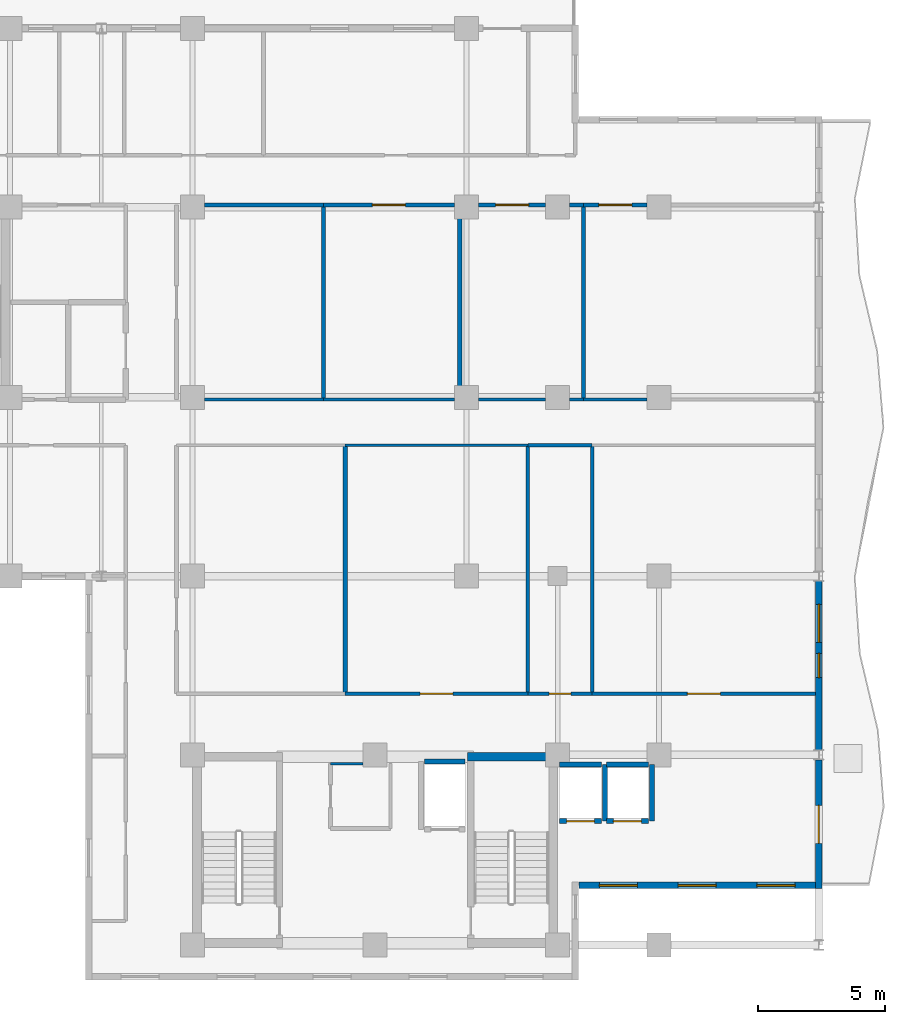
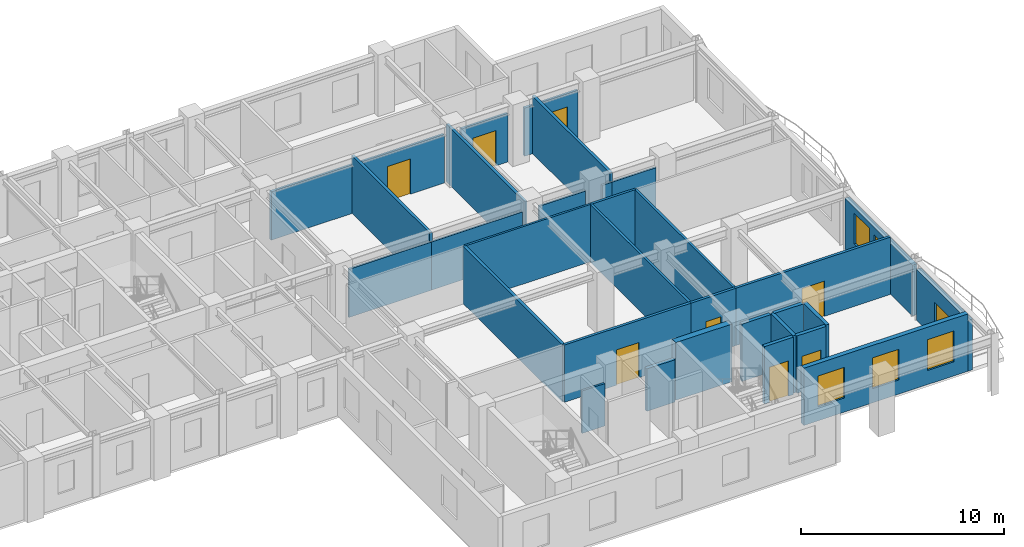
# One storey, part 8 of 13: 33 walls, 9 doors, 5 windows, 14 openings.
"""IFC4 building model written with IfcOpenShell, lengths in metres."""

from ifc_helpers import new_model, si_unit, direction, frame, frame_2d, origin, place, context, subcontext, project, spatial, rectangle, extrude, material, layer, layer_set, type_object, element, fill, save


model = new_model("IFC4")

# Units and contexts
model_context = context("Model", 3, precision=1e-05, world=origin(), true_north=direction((0.0, 1.0)))
body_context = subcontext(model_context, "Body", "Model", "MODEL_VIEW")
ifc_project = project(units=[si_unit("LENGTHUNIT", "METRE"), si_unit("AREAUNIT", "SQUARE_METRE"), si_unit("VOLUMEUNIT", "CUBIC_METRE"), si_unit("PLANEANGLEUNIT", "RADIAN"), si_unit("MASSUNIT", "GRAM", prefix="KILO")], contexts=[model_context])

# Site, building, storey
site_placement = place(None, origin())
site = spatial("IfcSite", under=ifc_project, at=site_placement, CompositionType="ELEMENT")
building_placement = place(site_placement, origin())
building = spatial("IfcBuilding", under=site, at=building_placement, Name="Kaliganga Portal Commons", CompositionType="ELEMENT")
storey_placement = place(building_placement, frame((0.0, 0.0, 224.0)))
storey = spatial("IfcBuildingStorey", under=building, at=storey_placement, Name="L57", CompositionType="ELEMENT", Elevation=224.0)

# Wall
ifc_material_1 = material(Name="Concrete C50/60", Category="concrete")
ifc_layer_1 = layer(ifc_material_1, 0.35009765625)
ifc_layer_set_1 = layer_set([ifc_layer_1], Name="Concrete C50/60")
wall_type_1 = type_object("IfcWallType", Name="WL-CORE-350", PredefinedType="SHEAR", material=ifc_layer_set_1)
wall_1_placement = place(storey_placement, frame((46.85009765625, 14.47509765625, 0.0), z_axis=(0.0, 0.0, 1.0), x_axis=(1.0, 0.0, 0.0)))
element("IfcWall", 1, at=wall_1_placement, inside=storey, type_object=wall_type_1, Name="Core B N-East Shear Wall L57", PredefinedType="SHEAR", context=body_context, shape_type="SweptSolid", body=[
    extrude(rectangle(XDim=3.199951171875, YDim=0.35009765625, at=frame_2d((1.60009765625, 0.0))), origin(), (0.0, 0.0, 1.0), 3.469970703125),
])

# Wall, openings, windows
ifc_material_2 = material(Name="Insulated Aluminium-Clad Spandrel Assembly", Category="aluminium")
ifc_layer_2 = layer(ifc_material_2, 0.260009765625)
ifc_layer_set_2 = layer_set([ifc_layer_2], Name="Insulated Aluminium-Clad Spandrel Assembly")
wall_type_2 = type_object("IfcWallType", Name="WL-EXT-SPAND-260", PredefinedType="STANDARD", material=ifc_layer_set_2)
wall_2_placement = place(storey_placement, frame((60.56494140625, 9.39990234375, 0.0), z_axis=(0.0, 0.0, 1.0), x_axis=(-1.0, 0.0, 0.0)))
wall_2 = element("IfcWall", 2, at=wall_2_placement, inside=storey, type_object=wall_type_2, Name="Exterior Envelope Wall L57 P1-E02-S1", PredefinedType="STANDARD", context=body_context, shape_type="SweptSolid", body=[
    extrude(rectangle(XDim=9.329833984375, YDim=0.260009765625, at=frame_2d((4.6650390625, 0.0))), origin(), (0.0, 0.0, 1.0), 3.449951171875),
])
opening_1_placement = place(wall_2_placement, frame((0.804931640625, 0.0, 0.85009765625)))
opening_1 = element("IfcOpeningElement", 3, at=opening_1_placement, cuts=wall_2, Name="Opening W-02", PredefinedType="OPENING", context=body_context, shape_type="SweptSolid", body=[
    extrude(rectangle(XDim=1.5, YDim=1.85009765625, at=frame_2d((0.75, 0.925048828125))), frame((0.0, 0.14013671875, 0.0), z_axis=(0.0, -1.0, 0.0), x_axis=(1.0, 0.0, 0.0)), (0.0, 0.0, 1.0), 0.280029296875),
])
opening_2_placement = place(wall_2_placement, frame((3.9150390625, 0.0, 0.85009765625)))
opening_2 = element("IfcOpeningElement", 4, at=opening_2_placement, cuts=wall_2, Name="Opening W-02", PredefinedType="OPENING", context=body_context, shape_type="SweptSolid", body=[
    extrude(rectangle(XDim=1.5, YDim=1.85009765625, at=frame_2d((0.75, 0.925048828125))), frame((0.0, 0.14013671875, 0.0), z_axis=(0.0, -1.0, 0.0), x_axis=(1.0, 0.0, 0.0)), (0.0, 0.0, 1.0), 0.280029296875),
])
opening_3_placement = place(wall_2_placement, frame((7.02490234375, 0.0, 0.85009765625)))
opening_3 = element("IfcOpeningElement", 5, at=opening_3_placement, cuts=wall_2, Name="Opening W-02", PredefinedType="OPENING", context=body_context, shape_type="SweptSolid", body=[
    extrude(rectangle(XDim=1.5, YDim=1.85009765625, at=frame_2d((0.75, 0.925048828125))), frame((0.0, 0.14013671875, 0.0), z_axis=(0.0, -1.0, 0.0), x_axis=(1.0, 0.0, 0.0)), (0.0, 0.0, 1.0), 0.280029296875),
])
ifc_material_3 = material(Name="Thermally Broken Aluminium and Low-E Double Glazing", Category="aluminium")
window_type_1 = type_object("IfcWindowType", Name="WIN-STD-1500", PartitioningType="DOUBLE_PANEL_VERTICAL", PredefinedType="WINDOW", material=ifc_material_3)
window_1_placement = place(opening_1_placement, origin())
window_1 = element("IfcWindow", 6, at=window_1_placement, inside=storey, type_object=window_type_1, Name="Facade Window L57-P1E02S1-00", OverallHeight=1.85009765625, OverallWidth=1.5, PartitioningType="SINGLE_PANEL", PredefinedType="WINDOW", context=body_context, shape_type="SweptSolid", body=[
    extrude(rectangle(XDim=1.5, YDim=1.85009765625, at=frame_2d((0.75, 0.925048828125))), frame((0.0, 0.030029296875, 0.0), z_axis=(0.0, -1.0, 0.0), x_axis=(1.0, 0.0, 0.0)), (0.0, 0.0, 1.0), 0.06005859375),
])
fill(opening_1, window_1)
window_2_placement = place(opening_2_placement, origin())
window_2 = element("IfcWindow", 7, at=window_2_placement, inside=storey, type_object=window_type_1, Name="Facade Window L57-P1E02S1-01", OverallHeight=1.85009765625, OverallWidth=1.5, PartitioningType="SINGLE_PANEL", PredefinedType="WINDOW", context=body_context, shape_type="SweptSolid", body=[
    extrude(rectangle(XDim=1.5, YDim=1.85009765625, at=frame_2d((0.75, 0.925048828125))), frame((0.0, 0.030029296875, 0.0), z_axis=(0.0, -1.0, 0.0), x_axis=(1.0, 0.0, 0.0)), (0.0, 0.0, 1.0), 0.06005859375),
])
fill(opening_2, window_2)
window_3_placement = place(opening_3_placement, origin())
window_3 = element("IfcWindow", 8, at=window_3_placement, inside=storey, type_object=window_type_1, Name="Facade Window L57-P1E02S1-02", OverallHeight=1.85009765625, OverallWidth=1.5, PartitioningType="SINGLE_PANEL", PredefinedType="WINDOW", context=body_context, shape_type="SweptSolid", body=[
    extrude(rectangle(XDim=1.5, YDim=1.85009765625, at=frame_2d((0.75, 0.925048828125))), frame((0.0, 0.030029296875, 0.0), z_axis=(0.0, -1.0, 0.0), x_axis=(1.0, 0.0, 0.0)), (0.0, 0.0, 1.0), 0.06005859375),
])
fill(opening_3, window_3)

# Wall, opening, door
wall_3_placement = place(storey_placement, frame((60.699951171875, 14.34912109375, 0.0), z_axis=(0.0, 0.0, 1.0), x_axis=(0.0, -1.0, 0.0)))
wall_3 = element("IfcWall", 9, at=wall_3_placement, inside=storey, type_object=wall_type_2, Name="Exterior Envelope Wall L57 P1-E03-S1", PredefinedType="STANDARD", context=body_context, shape_type="SweptSolid", body=[
    extrude(rectangle(XDim=5.0791015625, YDim=0.260009765625, at=frame_2d((2.53955078125, 0.0))), origin(), (0.0, 0.0, 1.0), 3.050048828125),
])
opening_4_placement = place(wall_3_placement, frame((1.7900390625, 0.0, 0.0)))
opening_4 = element("IfcOpeningElement", 10, at=opening_4_placement, cuts=wall_3, Name="Opening BD-01", PredefinedType="OPENING", context=body_context, shape_type="SweptSolid", body=[
    extrude(rectangle(XDim=1.5, YDim=2.14990234375, at=frame_2d((0.75, 1.074951171875))), frame((0.0, 0.14013671875, 0.0), z_axis=(0.0, -1.0, 0.0), x_axis=(1.0, 0.0, 0.0)), (0.0, 0.0, 1.0), 0.280029296875),
])
ifc_material_4 = material(Name="Anodized Aluminium and Laminated Safety Glass", Category="aluminium")
door_type_1 = type_object("IfcDoorType", Name="DR-BALC-1500", OperationType="SLIDING_TO_LEFT", PredefinedType="DOOR", material=ifc_material_4)
door_1_placement = place(opening_4_placement, origin())
door_1 = element("IfcDoor", 11, at=door_1_placement, inside=storey, type_object=door_type_1, Name="Balcony Sliding Door L57 balc_east", OperationType="SLIDING_TO_LEFT", OverallHeight=2.14990234375, OverallWidth=1.5, PredefinedType="DOOR", context=body_context, shape_type="SweptSolid", body=[
    extrude(rectangle(XDim=1.5, YDim=2.14990234375, at=frame_2d((0.75, 1.074951171875))), frame((0.0, 0.02490234375, 0.0), z_axis=(0.0, -1.0, 0.0), x_axis=(1.0, 0.0, 0.0)), (0.0, 0.0, 1.0), 0.050048828125),
])
fill(opening_4, door_1)

# Wall, openings, windows
wall_4_placement = place(storey_placement, frame((60.699951171875, 21.39892578125, 0.0), z_axis=(0.0, 0.0, 1.0), x_axis=(0.0, -1.0, 0.0)))
wall_4 = element("IfcWall", 12, at=wall_4_placement, inside=storey, type_object=wall_type_2, Name="Exterior Envelope Wall L57 P1-E03-S2", PredefinedType="STANDARD", context=body_context, shape_type="SweptSolid", body=[
    extrude(rectangle(XDim=6.64794921875, YDim=0.260009765625, at=frame_2d((3.323974609375, 0.0))), origin(), (0.0, 0.0, 1.0), 3.050048828125),
])
opening_5_placement = place(wall_4_placement, frame((0.912109375, 0.0, 0.85009765625)))
opening_5 = element("IfcOpeningElement", 13, at=opening_5_placement, cuts=wall_4, Name="Opening W-02", PredefinedType="OPENING", context=body_context, shape_type="SweptSolid", body=[
    extrude(rectangle(XDim=1.5, YDim=1.85009765625, at=frame_2d((0.75, 0.925048828125))), frame((0.0, 0.14013671875, 0.0), z_axis=(0.0, -1.0, 0.0), x_axis=(1.0, 0.0, 0.0)), (0.0, 0.0, 1.0), 0.280029296875),
])
opening_6_placement = place(wall_4_placement, frame((2.84912109375, 0.0, 0.85009765625)))
opening_6 = element("IfcOpeningElement", 14, at=opening_6_placement, cuts=wall_4, Name="Opening W-04", PredefinedType="OPENING", context=body_context, shape_type="SweptSolid", body=[
    extrude(rectangle(XDim=0.949951171875, YDim=1.75, at=frame_2d((0.47509765625, 0.875))), frame((0.0, 0.14013671875, 0.0), z_axis=(0.0, -1.0, 0.0), x_axis=(1.0, 0.0, 0.0)), (0.0, 0.0, 1.0), 0.280029296875),
])
window_type_2 = type_object("IfcWindowType", Name="WIN-NARROW-950", PartitioningType="SINGLE_PANEL", PredefinedType="WINDOW", material=ifc_material_3)
window_4_placement = place(opening_6_placement, origin())
window_4 = element("IfcWindow", 15, at=window_4_placement, inside=storey, type_object=window_type_2, Name="Facade Window L57-P1E03S2-N0", OverallHeight=1.75, OverallWidth=0.949951171875, PartitioningType="SINGLE_PANEL", PredefinedType="WINDOW", context=body_context, shape_type="SweptSolid", body=[
    extrude(rectangle(XDim=0.949951171875, YDim=1.75, at=frame_2d((0.47509765625, 0.875))), frame((0.0, 0.030029296875, 0.0), z_axis=(0.0, -1.0, 0.0), x_axis=(1.0, 0.0, 0.0)), (0.0, 0.0, 1.0), 0.06005859375),
])
fill(opening_6, window_4)
window_5_placement = place(opening_5_placement, origin())
window_5 = element("IfcWindow", 16, at=window_5_placement, inside=storey, type_object=window_type_1, Name="Facade Window L57-P1E03S2-00", OverallHeight=1.85009765625, OverallWidth=1.5, PartitioningType="SINGLE_PANEL", PredefinedType="WINDOW", context=body_context, shape_type="SweptSolid", body=[
    extrude(rectangle(XDim=1.5, YDim=1.85009765625, at=frame_2d((0.75, 0.925048828125))), frame((0.0, 0.030029296875, 0.0), z_axis=(0.0, -1.0, 0.0), x_axis=(1.0, 0.0, 0.0)), (0.0, 0.0, 1.0), 0.06005859375),
])
fill(opening_5, window_5)

# Wall, opening, door
ifc_material_5 = material(Name="Fire-Rated Gypsum Board on Steel Stud", Category="steel")
ifc_layer_3 = layer(ifc_material_5, 0.14990234375)
ifc_layer_set_3 = layer_set([ifc_layer_3], Name="Fire-Rated Gypsum Board on Steel Stud")
wall_type_3 = type_object("IfcWallType", Name="WL-PART-CORR-150", PredefinedType="PARTITIONING", material=ifc_layer_set_3)
wall_5_placement = place(storey_placement, frame((51.419921875, 36.239990234375, 0.0), z_axis=(0.0, 0.0, 1.0), x_axis=(1.0, 0.0, 0.0)))
wall_5 = element("IfcWall", 17, at=wall_5_placement, inside=storey, type_object=wall_type_3, Name="Interior Partition L57-003", PredefinedType="PARTITIONING", context=body_context, shape_type="SweptSolid", body=[
    extrude(rectangle(XDim=2.505126953125, YDim=0.14990234375, at=frame_2d((1.25244140625, 0.0))), origin(), (0.0, 0.0, 1.0), 2.89990234375),
])
opening_7_placement = place(wall_5_placement, frame((0.6025390625, 0.0, 0.0)))
opening_7 = element("IfcOpeningElement", 18, at=opening_7_placement, cuts=wall_5, Name="Opening RD-03", PredefinedType="OPENING", context=body_context, shape_type="SweptSolid", body=[
    extrude(rectangle(XDim=1.300048828125, YDim=2.1201171875, at=frame_2d((0.64990234375, 1.06005859375))), frame((0.0, 0.0849609375, 0.0), z_axis=(0.0, -1.0, 0.0), x_axis=(1.0, 0.0, 0.0)), (0.0, 0.0, 1.0), 0.169921875),
])
ifc_material_6 = material(Name="Glazed Timber Seminar Vision Door", Category="wood")
door_type_2 = type_object("IfcDoorType", Name="DR-STUDY-1300", OperationType="DOUBLE_DOOR_SINGLE_SWING", PredefinedType="DOOR", material=ifc_material_6)
door_2_placement = place(opening_7_placement, origin())
door_2 = element("IfcDoor", 19, at=door_2_placement, inside=storey, type_object=door_type_2, Name="Interior Door L57-BK04", OperationType="DOUBLE_DOOR_SINGLE_SWING", OverallHeight=2.1201171875, OverallWidth=1.300048828125, PredefinedType="DOOR", context=body_context, shape_type="SweptSolid", body=[
    extrude(rectangle(XDim=1.300048828125, YDim=2.1201171875, at=frame_2d((0.64990234375, 1.06005859375))), frame((0.0, 0.02490234375, 0.0), z_axis=(0.0, -1.0, 0.0), x_axis=(1.0, 0.0, 0.0)), (0.0, 0.0, 1.0), 0.050048828125),
])
fill(opening_7, door_2)

wall_6_placement = place(storey_placement, frame((51.760009765625, 16.9599609375, 0.0), z_axis=(0.0, 0.0, 1.0), x_axis=(1.0, 0.0, 0.0)))
wall_6 = element("IfcWall", 20, at=wall_6_placement, inside=storey, type_object=wall_type_3, Name="Interior Partition L57-005", PredefinedType="PARTITIONING", context=body_context, shape_type="SweptSolid", body=[
    extrude(rectangle(XDim=8.80810546875, YDim=0.14990234375, at=frame_2d((4.404052734375, 0.0))), origin(), (0.0, 0.0, 1.0), 3.449951171875),
])
opening_8_placement = place(wall_6_placement, frame((3.75390625, 0.0, 0.0)))
opening_8 = element("IfcOpeningElement", 21, at=opening_8_placement, cuts=wall_6, Name="Opening RD-03", PredefinedType="OPENING", context=body_context, shape_type="SweptSolid", body=[
    extrude(rectangle(XDim=1.300048828125, YDim=2.1201171875, at=frame_2d((0.64990234375, 1.06005859375))), frame((0.0, 0.0849609375, 0.0), z_axis=(0.0, -1.0, 0.0), x_axis=(1.0, 0.0, 0.0)), (0.0, 0.0, 1.0), 0.169921875),
])
door_3_placement = place(opening_8_placement, origin())
door_3 = element("IfcDoor", 22, at=door_3_placement, inside=storey, type_object=door_type_2, Name="Interior Door L57-BM04", OperationType="DOUBLE_DOOR_SINGLE_SWING", OverallHeight=2.1201171875, OverallWidth=1.300048828125, PredefinedType="DOOR", context=body_context, shape_type="SweptSolid", body=[
    extrude(rectangle(XDim=1.300048828125, YDim=2.1201171875, at=frame_2d((0.64990234375, 1.06005859375))), frame((0.0, 0.02490234375, 0.0), z_axis=(0.0, -1.0, 0.0), x_axis=(1.0, 0.0, 0.0)), (0.0, 0.0, 1.0), 0.050048828125),
])
fill(opening_8, door_3)

wall_7_placement = place(storey_placement, frame((42.02001953125, 16.9599609375, 0.0), z_axis=(0.0, 0.0, 1.0), x_axis=(1.0, 0.0, 0.0)))
wall_7 = element("IfcWall", 23, at=wall_7_placement, inside=storey, type_object=wall_type_3, Name="Interior Partition L57-007", PredefinedType="PARTITIONING", context=body_context, shape_type="SweptSolid", body=[
    extrude(rectangle(XDim=7.199951171875, YDim=0.14990234375, at=frame_2d((3.60009765625, 0.0))), origin(), (0.0, 0.0, 1.0), 3.449951171875),
])
opening_9_placement = place(wall_7_placement, frame((2.949951171875, 0.0, 0.0)))
opening_9 = element("IfcOpeningElement", 24, at=opening_9_placement, cuts=wall_7, Name="Opening RD-03", PredefinedType="OPENING", context=body_context, shape_type="SweptSolid", body=[
    extrude(rectangle(XDim=1.300048828125, YDim=2.1201171875, at=frame_2d((0.64990234375, 1.06005859375))), frame((0.0, 0.0849609375, 0.0), z_axis=(0.0, -1.0, 0.0), x_axis=(1.0, 0.0, 0.0)), (0.0, 0.0, 1.0), 0.169921875),
])
door_4_placement = place(opening_9_placement, origin())
door_4 = element("IfcDoor", 25, at=door_4_placement, inside=storey, type_object=door_type_2, Name="Interior Door L57-BM02", OperationType="DOUBLE_DOOR_SINGLE_SWING", OverallHeight=2.1201171875, OverallWidth=1.300048828125, PredefinedType="DOOR", context=body_context, shape_type="SweptSolid", body=[
    extrude(rectangle(XDim=1.300048828125, YDim=2.1201171875, at=frame_2d((0.64990234375, 1.06005859375))), frame((0.0, 0.02490234375, 0.0), z_axis=(0.0, -1.0, 0.0), x_axis=(1.0, 0.0, 0.0)), (0.0, 0.0, 1.0), 0.050048828125),
])
fill(opening_9, door_4)

# Wall
wall_8_placement = place(storey_placement, frame((36.47509765625, 36.239990234375, 0.0), z_axis=(0.0, 0.0, 1.0), x_axis=(1.0, 0.0, 0.0)))
element("IfcWall", 26, at=wall_8_placement, inside=storey, type_object=wall_type_3, Name="Interior Partition L57-014", PredefinedType="PARTITIONING", context=body_context, shape_type="SweptSolid", body=[
    extrude(rectangle(XDim=4.684814453125, YDim=0.14990234375, at=frame_2d((2.34228515625, 0.0))), origin(), (0.0, 0.0, 1.0), 2.89990234375),
])

# Wall, opening, door
wall_9_placement = place(storey_placement, frame((41.159912109375, 36.239990234375, 0.0), z_axis=(0.0, 0.0, 1.0), x_axis=(1.0, 0.0, 0.0)))
wall_9 = element("IfcWall", 27, at=wall_9_placement, inside=storey, type_object=wall_type_3, Name="Interior Partition L57-017", PredefinedType="PARTITIONING", context=body_context, shape_type="SweptSolid", body=[
    extrude(rectangle(XDim=5.1650390625, YDim=0.14990234375, at=frame_2d((2.58251953125, 0.0))), origin(), (0.0, 0.0, 1.0), 2.89990234375),
])
opening_10_placement = place(wall_9_placement, frame((1.9326171875, 0.0, 0.0)))
opening_10 = element("IfcOpeningElement", 28, at=opening_10_placement, cuts=wall_9, Name="Opening RD-03", PredefinedType="OPENING", context=body_context, shape_type="SweptSolid", body=[
    extrude(rectangle(XDim=1.300048828125, YDim=2.1201171875, at=frame_2d((0.64990234375, 1.06005859375))), frame((0.0, 0.0849609375, 0.0), z_axis=(0.0, -1.0, 0.0), x_axis=(1.0, 0.0, 0.0)), (0.0, 0.0, 1.0), 0.169921875),
])
door_5_placement = place(opening_10_placement, origin())
door_5 = element("IfcDoor", 29, at=door_5_placement, inside=storey, type_object=door_type_2, Name="Interior Door L57-BK02", OperationType="DOUBLE_DOOR_SINGLE_SWING", OverallHeight=2.1201171875, OverallWidth=1.300048828125, PredefinedType="DOOR", context=body_context, shape_type="SweptSolid", body=[
    extrude(rectangle(XDim=1.300048828125, YDim=2.1201171875, at=frame_2d((0.64990234375, 1.06005859375))), frame((0.0, 0.02490234375, 0.0), z_axis=(0.0, -1.0, 0.0), x_axis=(1.0, 0.0, 0.0)), (0.0, 0.0, 1.0), 0.050048828125),
])
fill(opening_10, door_5)

wall_10_placement = place(storey_placement, frame((47.27490234375, 36.239990234375, 0.0), z_axis=(0.0, 0.0, 1.0), x_axis=(1.0, 0.0, 0.0)))
wall_10 = element("IfcWall", 30, at=wall_10_placement, inside=storey, type_object=wall_type_3, Name="Interior Partition L57-020", PredefinedType="PARTITIONING", context=body_context, shape_type="SweptSolid", body=[
    extrude(rectangle(XDim=2.650146484375, YDim=0.14990234375, at=frame_2d((1.3251953125, 0.0))), origin(), (0.0, 0.0, 1.0), 2.89990234375),
])
opening_11_placement = place(wall_10_placement, frame((0.675048828125, 0.0, 0.0)))
opening_11 = element("IfcOpeningElement", 31, at=opening_11_placement, cuts=wall_10, Name="Opening RD-03", PredefinedType="OPENING", context=body_context, shape_type="SweptSolid", body=[
    extrude(rectangle(XDim=1.300048828125, YDim=2.1201171875, at=frame_2d((0.64990234375, 1.06005859375))), frame((0.0, 0.0849609375, 0.0), z_axis=(0.0, -1.0, 0.0), x_axis=(1.0, 0.0, 0.0)), (0.0, 0.0, 1.0), 0.169921875),
])
door_6_placement = place(opening_11_placement, origin())
door_6 = element("IfcDoor", 32, at=door_6_placement, inside=storey, type_object=door_type_2, Name="Interior Door L57-BK03", OperationType="DOUBLE_DOOR_SINGLE_SWING", OverallHeight=2.1201171875, OverallWidth=1.300048828125, PredefinedType="DOOR", context=body_context, shape_type="SweptSolid", body=[
    extrude(rectangle(XDim=1.300048828125, YDim=2.1201171875, at=frame_2d((0.64990234375, 1.06005859375))), frame((0.0, 0.02490234375, 0.0), z_axis=(0.0, -1.0, 0.0), x_axis=(1.0, 0.0, 0.0)), (0.0, 0.0, 1.0), 0.050048828125),
])
fill(opening_11, door_6)

# Wall
wall_11_placement = place(storey_placement, frame((50.875, 36.239990234375, 0.0), z_axis=(0.0, 0.0, 1.0), x_axis=(1.0, 0.0, 0.0)))
element("IfcWall", 33, at=wall_11_placement, inside=storey, type_object=wall_type_3, Name="Interior Partition L57-021", PredefinedType="PARTITIONING", context=body_context, shape_type="SweptSolid", body=[
    extrude(rectangle(XDim=0.544921875, YDim=0.14990234375, at=frame_2d((0.2724609375, 0.0))), origin(), (0.0, 0.0, 1.0), 2.89990234375),
])

# Wall, opening, door
wall_12_placement = place(storey_placement, frame((49.219970703125, 16.9599609375, 0.0), z_axis=(0.0, 0.0, 1.0), x_axis=(1.0, 0.0, 0.0)))
wall_12 = element("IfcWall", 34, at=wall_12_placement, inside=storey, type_object=wall_type_3, Name="Interior Partition L57-032", PredefinedType="PARTITIONING", context=body_context, shape_type="SweptSolid", body=[
    extrude(rectangle(XDim=2.5400390625, YDim=0.14990234375, at=frame_2d((1.27001953125, 0.0))), origin(), (0.0, 0.0, 1.0), 3.449951171875),
])
opening_12_placement = place(wall_12_placement, frame((0.844970703125, 0.0, 0.0)))
opening_12 = element("IfcOpeningElement", 35, at=opening_12_placement, cuts=wall_12, Name="Opening WD-01", PredefinedType="OPENING", context=body_context, shape_type="SweptSolid", body=[
    extrude(rectangle(XDim=0.85009765625, YDim=2.0400390625, at=frame_2d((0.425048828125, 1.02001953125))), frame((0.0, 0.0849609375, 0.0), z_axis=(0.0, -1.0, 0.0), x_axis=(1.0, 0.0, 0.0)), (0.0, 0.0, 1.0), 0.169921875),
])
ifc_material_7 = material(Name="Moisture-Resistant Laminate Timber Door", Category="wood")
door_type_3 = type_object("IfcDoorType", Name="DR-WET-850", OperationType="NOTDEFINED", PredefinedType="DOOR", material=ifc_material_7)
door_7_placement = place(opening_12_placement, origin())
door_7 = element("IfcDoor", 36, at=door_7_placement, inside=storey, type_object=door_type_3, Name="Interior Door L57-BM03", OperationType="SINGLE_SWING_LEFT", OverallHeight=2.0400390625, OverallWidth=0.85009765625, PredefinedType="DOOR", context=body_context, shape_type="SweptSolid", body=[
    extrude(rectangle(XDim=0.85009765625, YDim=2.0400390625, at=frame_2d((0.425048828125, 1.02001953125))), frame((0.0, 0.02490234375, 0.0), z_axis=(0.0, -1.0, 0.0), x_axis=(1.0, 0.0, 0.0)), (0.0, 0.0, 1.0), 0.050048828125),
])
fill(opening_12, door_7)

# Walls
ifc_material_8 = material(Name="Moisture-Resistant Gypsum Partition", Category="gypsum")
ifc_layer_4 = layer(ifc_material_8, 0.114990234375)
ifc_layer_set_4 = layer_set([ifc_layer_4], Name="Moisture-Resistant Gypsum Partition")
wall_type_4 = type_object("IfcWallType", Name="WL-PART-ROOM-115", PredefinedType="PARTITIONING", material=ifc_layer_set_4)
wall_13_placement = place(storey_placement, frame((51.419921875, 28.56005859375, 0.0), z_axis=(0.0, 0.0, 1.0), x_axis=(1.0, 0.0, 0.0)))
element("IfcWall", 37, at=wall_13_placement, inside=storey, type_object=wall_type_4, Name="Interior Partition L57-048", PredefinedType="PARTITIONING", context=body_context, shape_type="SweptSolid", body=[
    extrude(rectangle(XDim=2.505126953125, YDim=0.114990234375, at=frame_2d((1.25244140625, 0.0))), origin(), (0.0, 0.0, 1.0), 2.89990234375),
])
wall_14_placement = place(storey_placement, frame((42.02001953125, 26.760009765625, 0.0), z_axis=(0.0, 0.0, 1.0), x_axis=(1.0, 0.0, 0.0)))
element("IfcWall", 38, at=wall_14_placement, inside=storey, type_object=wall_type_4, Name="Interior Partition L57-054", PredefinedType="PARTITIONING", context=body_context, shape_type="SweptSolid", body=[
    extrude(rectangle(XDim=7.199951171875, YDim=0.114990234375, at=frame_2d((3.60009765625, 0.0))), origin(), (0.0, 0.0, 1.0), 3.449951171875),
])
wall_15_placement = place(storey_placement, frame((36.47509765625, 28.56005859375, 0.0), z_axis=(0.0, 0.0, 1.0), x_axis=(1.0, 0.0, 0.0)))
element("IfcWall", 39, at=wall_15_placement, inside=storey, type_object=wall_type_4, Name="Interior Partition L57-056", PredefinedType="PARTITIONING", context=body_context, shape_type="SweptSolid", body=[
    extrude(rectangle(XDim=4.684814453125, YDim=0.114990234375, at=frame_2d((2.34228515625, 0.0))), origin(), (0.0, 0.0, 1.0), 2.89990234375),
])
wall_16_placement = place(storey_placement, frame((41.159912109375, 28.56005859375, 0.0), z_axis=(0.0, 0.0, 1.0), x_axis=(1.0, 0.0, 0.0)))
element("IfcWall", 40, at=wall_16_placement, inside=storey, type_object=wall_type_4, Name="Interior Partition L57-057", PredefinedType="PARTITIONING", context=body_context, shape_type="SweptSolid", body=[
    extrude(rectangle(XDim=5.1650390625, YDim=0.114990234375, at=frame_2d((2.58251953125, 0.0))), origin(), (0.0, 0.0, 1.0), 2.89990234375),
])
wall_17_placement = place(storey_placement, frame((47.27490234375, 28.56005859375, 0.0), z_axis=(0.0, 0.0, 1.0), x_axis=(1.0, 0.0, 0.0)))
element("IfcWall", 41, at=wall_17_placement, inside=storey, type_object=wall_type_4, Name="Interior Partition L57-070", PredefinedType="PARTITIONING", context=body_context, shape_type="SweptSolid", body=[
    extrude(rectangle(XDim=2.650146484375, YDim=0.114990234375, at=frame_2d((1.3251953125, 0.0))), origin(), (0.0, 0.0, 1.0), 2.89990234375),
])
wall_18_placement = place(storey_placement, frame((50.875, 28.56005859375, 0.0), z_axis=(0.0, 0.0, 1.0), x_axis=(1.0, 0.0, 0.0)))
element("IfcWall", 42, at=wall_18_placement, inside=storey, type_object=wall_type_4, Name="Interior Partition L57-071", PredefinedType="PARTITIONING", context=body_context, shape_type="SweptSolid", body=[
    extrude(rectangle(XDim=0.544921875, YDim=0.114990234375, at=frame_2d((0.2724609375, 0.0))), origin(), (0.0, 0.0, 1.0), 2.89990234375),
])
wall_19_placement = place(storey_placement, frame((41.43994140625, 14.199951171875, 0.0), z_axis=(0.0, 0.0, 1.0), x_axis=(1.0, 0.0, 0.0)))
element("IfcWall", 43, at=wall_19_placement, inside=storey, type_object=wall_type_4, Name="Interior Partition L57-078", PredefinedType="PARTITIONING", context=body_context, shape_type="SweptSolid", body=[
    extrude(rectangle(XDim=1.28515625, YDim=0.114990234375, at=frame_2d((0.642578125, 0.0))), origin(), (0.0, 0.0, 1.0), 2.550048828125),
])
ifc_material_9 = material(Name="Twin-Stud Acoustic Gypsum Partition", Category="gypsum")
ifc_layer_5 = layer(ifc_material_9, 0.1650390625)
ifc_layer_set_5 = layer_set([ifc_layer_5], Name="Twin-Stud Acoustic Gypsum Partition")
wall_type_5 = type_object("IfcWallType", Name="WL-PART-UNIT-165", PredefinedType="PARTITIONING", material=ifc_layer_set_5)
wall_20_placement = place(storey_placement, frame((42.02001953125, 16.9599609375, 0.0), z_axis=(0.0, 0.0, 1.0), x_axis=(0.0, 1.0, 0.0)))
element("IfcWall", 44, at=wall_20_placement, inside=storey, type_object=wall_type_5, Name="Interior Partition L57-045", PredefinedType="PARTITIONING", context=body_context, shape_type="SweptSolid", body=[
    extrude(rectangle(XDim=9.800048828125, YDim=0.1650390625, at=frame_2d((4.89990234375, 0.0))), origin(), (0.0, 0.0, 1.0), 3.449951171875),
])
for number, where, z_axis, x_axis, name in (
    (45, (41.159912109375, 28.56005859375, 0.0), (0.0, 0.0, 1.0), (0.0, 1.0, 0.0), "Interior Partition L57-051"),
    (46, (46.5400390625, 28.56005859375, 0.0), (0.0, 0.0, 1.0), (0.0, 1.0, 0.0), "Interior Partition L57-052"),
    (47, (51.419921875, 28.56005859375, 0.0), (0.0, 0.0, 1.0), (0.0, 1.0, 0.0), "Interior Partition L57-053"),
):
    element("IfcWall", number, at=place(storey_placement, frame(where, z_axis=z_axis, x_axis=x_axis)), inside=storey, type_object=wall_type_5, Name=name, PredefinedType="PARTITIONING", context=body_context, shape_type="SweptSolid", body=[
        extrude(rectangle(XDim=7.679931640625, YDim=0.1650390625, at=frame_2d((3.83984375, 0.0))), origin(), (0.0, 0.0, 1.0), 3.449951171875),
    ])
ifc_material_10 = material(Name="Cement-Board Wet-Room Partition", Category="gypsum")
ifc_layer_6 = layer(ifc_material_10, 0.135009765625)
ifc_layer_set_6 = layer_set([ifc_layer_6], Name="Cement-Board Wet-Room Partition")
wall_type_6 = type_object("IfcWallType", Name="WL-PART-WET-135", PredefinedType="PARTITIONING", material=ifc_layer_set_6)
for number, where, z_axis, x_axis, name in (
    (48, (49.219970703125, 16.9599609375, 0.0), (0.0, 0.0, 1.0), (0.0, 1.0, 0.0), "Interior Partition L57-046"),
    (49, (51.760009765625, 16.9599609375, 0.0), (0.0, 0.0, 1.0), (0.0, 1.0, 0.0), "Interior Partition L57-047"),
):
    element("IfcWall", number, at=place(storey_placement, frame(where, z_axis=z_axis, x_axis=x_axis)), inside=storey, type_object=wall_type_6, Name=name, PredefinedType="PARTITIONING", context=body_context, shape_type="SweptSolid", body=[
        extrude(rectangle(XDim=9.800048828125, YDim=0.135009765625, at=frame_2d((4.89990234375, 0.0))), origin(), (0.0, 0.0, 1.0), 3.449951171875),
    ])
wall_21_placement = place(storey_placement, frame((49.219970703125, 26.760009765625, 0.0), z_axis=(0.0, 0.0, 1.0), x_axis=(1.0, 0.0, 0.0)))
element("IfcWall", 50, at=wall_21_placement, inside=storey, type_object=wall_type_6, Name="Interior Partition L57-077", PredefinedType="PARTITIONING", context=body_context, shape_type="SweptSolid", body=[
    extrude(rectangle(XDim=2.5400390625, YDim=0.135009765625, at=frame_2d((1.27001953125, 0.0))), origin(), (0.0, 0.0, 1.0), 3.449951171875),
])

# Wall, opening, door
ifc_material_11 = material(Name="Fire-Rated Shaftwall Masonry Assembly", Category="masonry")
ifc_layer_7 = layer(ifc_material_11, 0.199951171875)
ifc_layer_set_7 = layer_set([ifc_layer_7], Name="Fire-Rated Shaftwall Masonry Assembly")
wall_type_7 = type_object("IfcWallType", Name="WL-SHAFT-200", PredefinedType="PARTITIONING", material=ifc_layer_set_7)
wall_22_placement = place(storey_placement, frame((50.47509765625, 11.93505859375, 0.0), z_axis=(0.0, 0.0, 1.0), x_axis=(1.0, 0.0, 0.0)))
wall_22 = element("IfcWall", 51, at=wall_22_placement, inside=storey, type_object=wall_type_7, Name="Lift PL-B3 Hoistway Shaft Wall L57-S", PredefinedType="PARTITIONING", context=body_context, shape_type="SweptSolid", body=[
    extrude(rectangle(XDim=1.64990234375, YDim=0.199951171875, at=frame_2d((0.824951171875, 0.0))), origin(), (0.0, 0.0, 1.0), 3.449951171875),
])
opening_13_placement = place(wall_22_placement, frame((0.27490234375, 0.0, 0.0)))
opening_13 = element("IfcOpeningElement", 52, at=opening_13_placement, cuts=wall_22, Name="Opening LD-01", PredefinedType="OPENING", context=body_context, shape_type="SweptSolid", body=[
    extrude(rectangle(XDim=1.10009765625, YDim=2.1201171875, at=frame_2d((0.550048828125, 1.06005859375))), frame((0.0, 0.10986328125, 0.0), z_axis=(0.0, -1.0, 0.0), x_axis=(1.0, 0.0, 0.0)), (0.0, 0.0, 1.0), 0.219970703125),
])
ifc_material_12 = material(Name="Brushed Stainless Steel 316 Lift Landing Door", Category="steel")
door_type_4 = type_object("IfcDoorType", Name="DR-LIFT-1100", OperationType="SLIDING_TO_LEFT", PredefinedType="DOOR", material=ifc_material_12)
door_8_placement = place(opening_13_placement, origin())
door_8 = element("IfcDoor", 53, at=door_8_placement, inside=storey, type_object=door_type_4, Name="Lift PL-B3 Sliding Landing Door L57", OperationType="SLIDING_TO_LEFT", OverallHeight=2.1201171875, OverallWidth=1.10009765625, PredefinedType="DOOR", context=body_context, shape_type="SweptSolid", body=[
    extrude(rectangle(XDim=1.10009765625, YDim=2.1201171875, at=frame_2d((0.550048828125, 1.06005859375))), frame((0.0, 0.02490234375, 0.0), z_axis=(0.0, -1.0, 0.0), x_axis=(1.0, 0.0, 0.0)), (0.0, 0.0, 1.0), 0.050048828125),
])
fill(opening_13, door_8)

# Walls
wall_23_placement = place(storey_placement, frame((50.47509765625, 14.1650390625, 0.0), z_axis=(0.0, 0.0, 1.0), x_axis=(1.0, 0.0, 0.0)))
element("IfcWall", 54, at=wall_23_placement, inside=storey, type_object=wall_type_7, Name="Lift PL-B3 Hoistway Shaft Wall L57-N", PredefinedType="PARTITIONING", context=body_context, shape_type="SweptSolid", body=[
    extrude(rectangle(XDim=1.64990234375, YDim=0.199951171875, at=frame_2d((0.824951171875, 0.0))), origin(), (0.0, 0.0, 1.0), 3.449951171875),
])
wall_24_placement = place(storey_placement, frame((52.264892578125, 11.93505859375, 0.0), z_axis=(0.0, 0.0, 1.0), x_axis=(0.0, 1.0, 0.0)))
element("IfcWall", 55, at=wall_24_placement, inside=storey, type_object=wall_type_7, Name="Lift PL-B3 Hoistway Shaft Wall L57-E", PredefinedType="PARTITIONING", context=body_context, shape_type="SweptSolid", body=[
    extrude(rectangle(XDim=2.22998046875, YDim=0.199951171875, at=frame_2d((1.114990234375, 0.0))), origin(), (0.0, 0.0, 1.0), 3.449951171875),
])

# Wall, opening, door
wall_25_placement = place(storey_placement, frame((52.324951171875, 11.93505859375, 0.0), z_axis=(0.0, 0.0, 1.0), x_axis=(1.0, 0.0, 0.0)))
wall_25 = element("IfcWall", 56, at=wall_25_placement, inside=storey, type_object=wall_type_7, Name="Lift PL-B4 Hoistway Shaft Wall L57-S", PredefinedType="PARTITIONING", context=body_context, shape_type="SweptSolid", body=[
    extrude(rectangle(XDim=1.650146484375, YDim=0.199951171875, at=frame_2d((0.8251953125, 0.0))), origin(), (0.0, 0.0, 1.0), 3.449951171875),
])
opening_14_placement = place(wall_25_placement, frame((0.27490234375, 0.0, 0.0)))
opening_14 = element("IfcOpeningElement", 57, at=opening_14_placement, cuts=wall_25, Name="Opening LD-01", PredefinedType="OPENING", context=body_context, shape_type="SweptSolid", body=[
    extrude(rectangle(XDim=1.10009765625, YDim=2.1201171875, at=frame_2d((0.550048828125, 1.06005859375))), frame((0.0, 0.10986328125, 0.0), z_axis=(0.0, -1.0, 0.0), x_axis=(1.0, 0.0, 0.0)), (0.0, 0.0, 1.0), 0.219970703125),
])
door_9_placement = place(opening_14_placement, origin())
door_9 = element("IfcDoor", 58, at=door_9_placement, inside=storey, type_object=door_type_4, Name="Lift PL-B4 Sliding Landing Door L57", OperationType="SLIDING_TO_LEFT", OverallHeight=2.1201171875, OverallWidth=1.10009765625, PredefinedType="DOOR", context=body_context, shape_type="SweptSolid", body=[
    extrude(rectangle(XDim=1.10009765625, YDim=2.1201171875, at=frame_2d((0.550048828125, 1.06005859375))), frame((0.0, 0.02490234375, 0.0), z_axis=(0.0, -1.0, 0.0), x_axis=(1.0, 0.0, 0.0)), (0.0, 0.0, 1.0), 0.050048828125),
])
fill(opening_14, door_9)

# Walls
wall_26_placement = place(storey_placement, frame((52.324951171875, 14.1650390625, 0.0), z_axis=(0.0, 0.0, 1.0), x_axis=(1.0, 0.0, 0.0)))
element("IfcWall", 59, at=wall_26_placement, inside=storey, type_object=wall_type_7, Name="Lift PL-B4 Hoistway Shaft Wall L57-N", PredefinedType="PARTITIONING", context=body_context, shape_type="SweptSolid", body=[
    extrude(rectangle(XDim=1.650146484375, YDim=0.199951171875, at=frame_2d((0.8251953125, 0.0))), origin(), (0.0, 0.0, 1.0), 3.449951171875),
])
wall_27_placement = place(storey_placement, frame((54.114990234375, 11.93505859375, 0.0), z_axis=(0.0, 0.0, 1.0), x_axis=(0.0, 1.0, 0.0)))
element("IfcWall", 60, at=wall_27_placement, inside=storey, type_object=wall_type_7, Name="Lift PL-B4 Hoistway Shaft Wall L57-E", PredefinedType="PARTITIONING", context=body_context, shape_type="SweptSolid", body=[
    extrude(rectangle(XDim=2.22998046875, YDim=0.199951171875, at=frame_2d((1.114990234375, 0.0))), origin(), (0.0, 0.0, 1.0), 3.449951171875),
])
wall_28_placement = place(storey_placement, frame((45.14990234375, 14.2900390625, 0.0), z_axis=(0.0, 0.0, 1.0), x_axis=(1.0, 0.0, 0.0)))
element("IfcWall", 61, at=wall_28_placement, inside=storey, type_object=wall_type_7, Name="Lift SL-B1 Hoistway Shaft Wall L57-N", PredefinedType="PARTITIONING", context=body_context, shape_type="SweptSolid", body=[
    extrude(rectangle(XDim=1.60009765625, YDim=0.199951171875, at=frame_2d((0.800048828125, 0.0))), origin(), (0.0, 0.0, 1.0), 2.550048828125),
])

save(model, "model.ifc")
